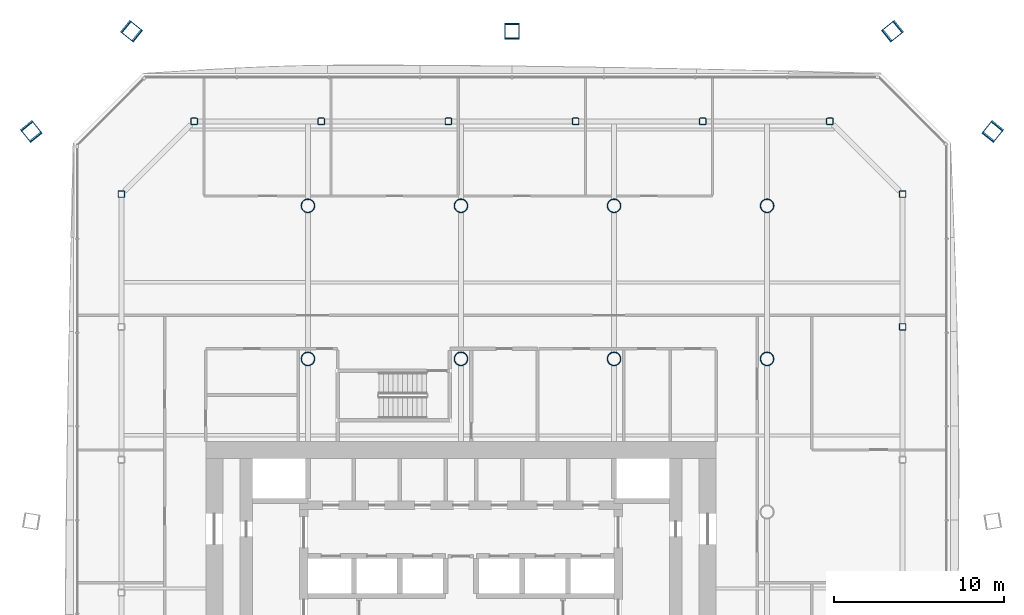
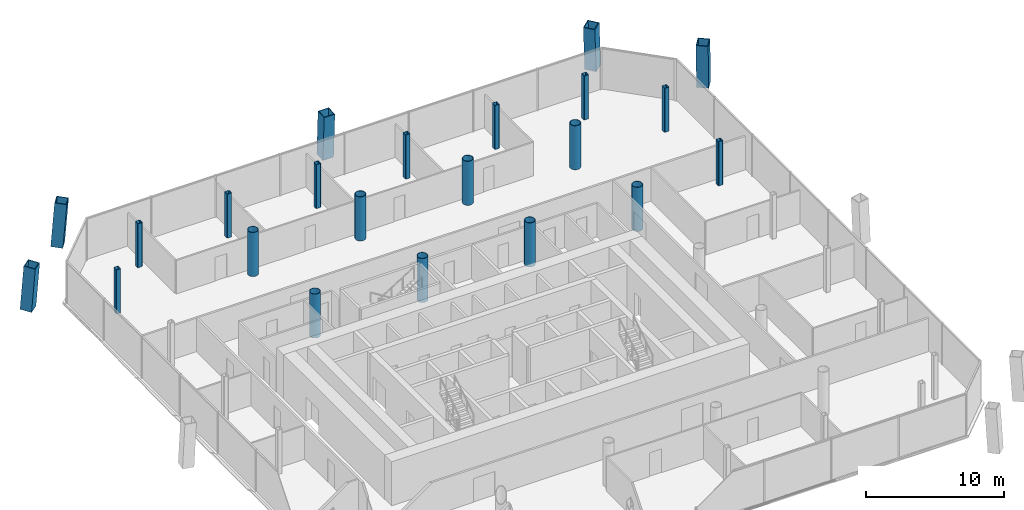
# One storey, part 3 of 20: 22 columns.
"""IFC4 building model written with IfcOpenShell, lengths in metres."""

from ifc_helpers import new_model, si_unit, direction, frame, origin, origin_2d, place, context, subcontext, project, spatial, hollow_rectangle, hollow_circle, extrude, material, material_profile, profile_set, type_object, element, save


model = new_model("IFC4")

# Units and contexts
model_context = context("Model", 3, precision=1e-05, world=origin(), true_north=direction((0.0, 1.0)))
body_context = subcontext(model_context, "Body", "Model", "MODEL_VIEW")
ifc_project = project(units=[si_unit("LENGTHUNIT", "METRE"), si_unit("AREAUNIT", "SQUARE_METRE"), si_unit("VOLUMEUNIT", "CUBIC_METRE"), si_unit("PLANEANGLEUNIT", "RADIAN"), si_unit("MASSUNIT", "GRAM", prefix="KILO")], contexts=[model_context])

# Site, building, storey
site_placement = place(None, origin())
site = spatial("IfcSite", under=ifc_project, at=site_placement, CompositionType="ELEMENT")
building_placement = place(site_placement, origin())
building = spatial("IfcBuilding", under=site, at=building_placement, Name="Tskaro Facet Tower", CompositionType="ELEMENT")
storey_placement = place(building_placement, frame((0.0, 0.0, 69.89990234375)))
storey = spatial("IfcBuildingStorey", under=building, at=storey_placement, Name="L16", CompositionType="ELEMENT", Elevation=69.89990234375)

# Columns
ifc_material_1 = material(Name="Steel S460M", Category="steel")
ifc_material_profile_1 = material_profile(ifc_material_1, hollow_rectangle(XDim=0.89990234375, YDim=0.89990234375, WallThickness=0.054931640625, at=origin_2d()), Name="BOX 900x900x55")
ifc_profile_set_1 = profile_set([ifc_material_profile_1], Name="Steel S460M")
column_type_1 = type_object("IfcColumnType", Name="BOX 900x900x55 mega column", PredefinedType="COLUMN", material=ifc_profile_set_1)
for number, where, z_axis, x_axis, name in (
    (1, (31.2939453125, 22.406005859375, 0.0), (-0.046755997555, -0.057805145175, 0.997232391112), (0.777498997166, -0.628884178053, 0.0), "BOX 900x900x55 MC06/2"),
    (2, (25.406005859375, 28.2939453125, 0.0), (-0.057805145175, -0.046755997555, 0.997232391112), (0.628884178053, -0.777498997166, 0.0), "BOX 900x900x55 MC07/2"),
):
    element("IfcColumn", number, at=place(storey_placement, frame(where, z_axis=z_axis, x_axis=x_axis)), inside=storey, type_object=column_type_1, Name=name, PredefinedType="COLUMN", context=body_context, shape_type="SweptSolid", body=[
        extrude(hollow_rectangle(XDim=0.89990234375, YDim=0.89990234375, WallThickness=0.054931640625, at=origin_2d()), origin(), (0.0, 0.0, 1.0), 3.910888671875),
    ])
column_placement = place(storey_placement, frame((3.0, 28.2939453125, 0.0), z_axis=(0.0, -0.046834309926, 0.998902671642), x_axis=(1.0, 0.0, 0.0)))
element("IfcColumn", 3, at=column_placement, inside=storey, type_object=column_type_1, Name="BOX 900x900x55 MC08/2", PredefinedType="COLUMN", context=body_context, shape_type="SweptSolid", body=[
    extrude(hollow_rectangle(XDim=0.89990234375, YDim=0.89990234375, WallThickness=0.054931640625, at=origin_2d()), origin(), (0.0, 0.0, 1.0), 3.904541015625),
])
for number, where, z_axis, x_axis, name in (
    (4, (-19.406005859375, 28.2939453125, 0.0), (0.057805145175, -0.046755997555, 0.997232391112), (0.628884178053, 0.777498997166, 0.0), "BOX 900x900x55 MC09/2"),
    (5, (-25.2939453125, 22.406005859375, 0.0), (0.046755997555, -0.057805145175, 0.997232391112), (0.777498997166, 0.628884178053, 0.0), "BOX 900x900x55 MC10/2"),
):
    element("IfcColumn", number, at=place(storey_placement, frame(where, z_axis=z_axis, x_axis=x_axis)), inside=storey, type_object=column_type_1, Name=name, PredefinedType="COLUMN", context=body_context, shape_type="SweptSolid", body=[
        extrude(hollow_rectangle(XDim=0.89990234375, YDim=0.89990234375, WallThickness=0.054931640625, at=origin_2d()), origin(), (0.0, 0.0, 1.0), 3.910888671875),
    ])
ifc_material_2 = material(Name="Steel S355J2H", Category="steel")
ifc_material_profile_2 = material_profile(ifc_material_2, hollow_circle(Radius=0.406494140625, WallThickness=0.035888671875, at=origin_2d()), Name="CHS 812.8x36")
ifc_profile_set_2 = profile_set([ifc_material_profile_2], Name="Steel S355J2H")
column_type_2 = type_object("IfcColumnType", Name="CHS 812.8x36 interior column", PredefinedType="COLUMN", material=ifc_profile_set_2)
for number, where, z_axis, x_axis, name in (
    (6, (-9.0, 9.0, 0.0), (0.0, 0.0, 1.0), (1.0, 0.0, 0.0), "CHS 812.8x36 C3E/2"),
    (7, (-9.0, 18.0, 0.0), (0.0, 0.0, 1.0), (1.0, 0.0, 0.0), "CHS 812.8x36 C3F/2"),
    (8, (0.0, 9.0, 0.0), (0.0, 0.0, 1.0), (1.0, 0.0, 0.0), "CHS 812.8x36 C4E/2"),
    (9, (0.0, 18.0, 0.0), (0.0, 0.0, 1.0), (1.0, 0.0, 0.0), "CHS 812.8x36 C4F/2"),
    (10, (9.0, 9.0, 0.0), (0.0, 0.0, 1.0), (1.0, 0.0, 0.0), "CHS 812.8x36 C5E/2"),
    (11, (9.0, 18.0, 0.0), (0.0, 0.0, 1.0), (1.0, 0.0, 0.0), "CHS 812.8x36 C5F/2"),
    (12, (18.0, 9.0, 0.0), (0.0, 0.0, 1.0), (1.0, 0.0, 0.0), "CHS 812.8x36 C6E/2"),
    (13, (18.0, 18.0, 0.0), (0.0, 0.0, 1.0), (1.0, 0.0, 0.0), "CHS 812.8x36 C6F/2"),
):
    element("IfcColumn", number, at=place(storey_placement, frame(where, z_axis=z_axis, x_axis=x_axis)), inside=storey, type_object=column_type_2, Name=name, PredefinedType="COLUMN", context=body_context, shape_type="SweptSolid", body=[
        extrude(hollow_circle(Radius=0.406494140625, WallThickness=0.035888671875, at=origin_2d()), origin(), (0.0, 0.0, 1.0), 3.900146484375),
    ])
ifc_material_profile_3 = material_profile(ifc_material_2, hollow_rectangle(XDim=0.39990234375, YDim=0.39990234375, WallThickness=0.02490234375, InnerFilletRadius=0.03759765625, OuterFilletRadius=0.0625, at=origin_2d()), Name="SHS 400x400x25")
ifc_profile_set_3 = profile_set([ifc_material_profile_3], Name="Steel S355J2H")
column_type_3 = type_object("IfcColumnType", Name="SHS 400x400x25 ring column", PredefinedType="COLUMN", material=ifc_profile_set_3)
for number, where, z_axis, x_axis, name in (
    (14, (25.965087890625, 10.87890625, 0.0), (0.0, 0.0, 1.0), (1.0, 0.0, 0.0), "SHS 400x400x25 RE-5/2"),
    (15, (25.965087890625, 18.68994140625, 0.0), (0.0, 0.0, 1.0), (1.0, 0.0, 0.0), "SHS 400x400x25 RNE-1/2"),
    (16, (21.68994140625, 22.965087890625, 0.0), (0.0, 0.0, 1.0), (1.0, 0.0, 0.0), "SHS 400x400x25 RN-1/2"),
    (17, (14.214111328125, 22.965087890625, 0.0), (0.0, 0.0, 1.0), (1.0, 0.0, 0.0), "SHS 400x400x25 RN-2/2"),
    (18, (6.738037109375, 22.965087890625, 0.0), (0.0, 0.0, 1.0), (1.0, 0.0, 0.0), "SHS 400x400x25 RN-3/2"),
    (19, (-0.738037109375, 22.965087890625, 0.0), (0.0, 0.0, 1.0), (1.0, 0.0, 0.0), "SHS 400x400x25 RN-4/2"),
    (20, (-8.214111328125, 22.965087890625, 0.0), (0.0, 0.0, 1.0), (1.0, 0.0, 0.0), "SHS 400x400x25 RN-5/2"),
    (21, (-15.68994140625, 22.965087890625, 0.0), (0.0, 0.0, 1.0), (1.0, 0.0, 0.0), "SHS 400x400x25 RNW-1/2"),
    (22, (-19.965087890625, 18.68994140625, 0.0), (0.0, 0.0, 1.0), (1.0, 0.0, 0.0), "SHS 400x400x25 RW-1/2"),
):
    element("IfcColumn", number, at=place(storey_placement, frame(where, z_axis=z_axis, x_axis=x_axis)), inside=storey, type_object=column_type_3, Name=name, PredefinedType="COLUMN", context=body_context, shape_type="SweptSolid", body=[
        extrude(hollow_rectangle(XDim=0.39990234375, YDim=0.39990234375, WallThickness=0.02490234375, InnerFilletRadius=0.03759765625, OuterFilletRadius=0.0625, at=origin_2d()), origin(), (0.0, 0.0, 1.0), 3.900146484375),
    ])

save(model, "model.ifc")
